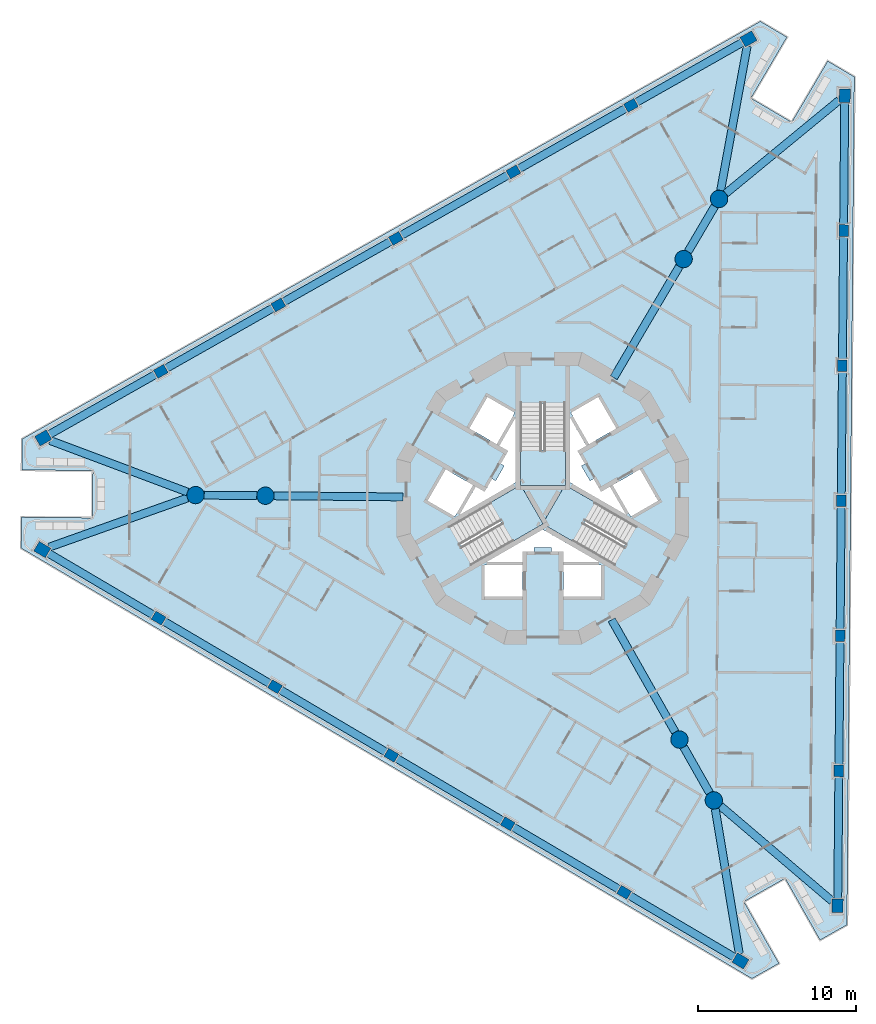
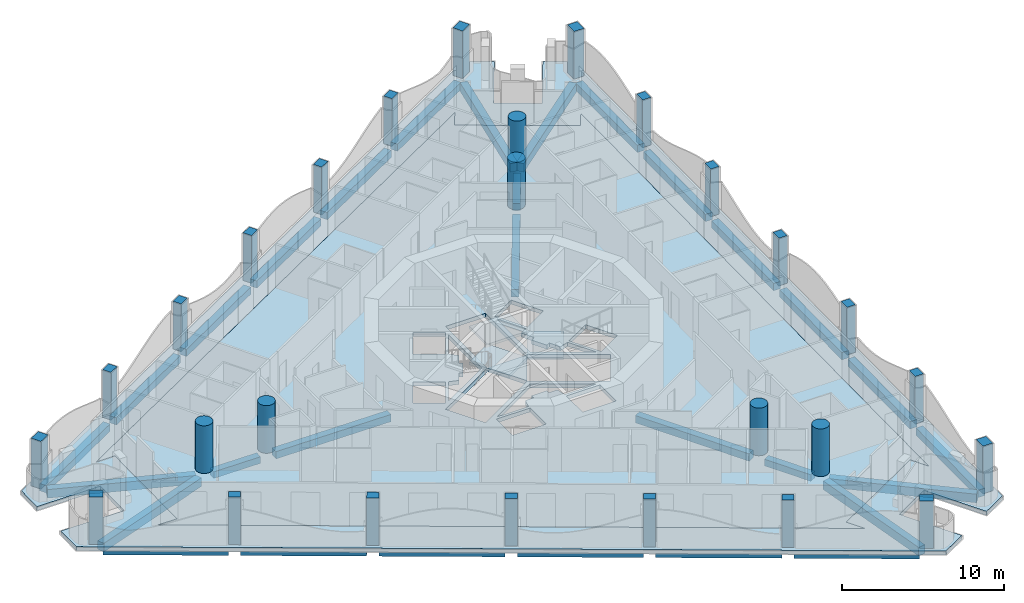
# One storey, part 1 of 17: 30 beams, 27 columns, 6 slabs, 3 elements without a shape of their own.
"""IFC4 building model written with IfcOpenShell, lengths in metres."""

from ifc_helpers import new_model, si_unit, direction, frame, origin, origin_2d, place, context, subcontext, project, spatial, polyline, rectangle, circle, outline, extrude, material, layer, layer_set, material_profile, profile_set, type_object, element, aggregate, save


model = new_model("IFC4")

# Units and contexts
model_context = context("Model", 3, precision=1e-05, world=origin(), true_north=direction((0.0, 1.0)))
body_context = subcontext(model_context, "Body", "Model", "MODEL_VIEW")
ifc_project = project(units=[si_unit("LENGTHUNIT", "METRE"), si_unit("AREAUNIT", "SQUARE_METRE"), si_unit("VOLUMEUNIT", "CUBIC_METRE"), si_unit("PLANEANGLEUNIT", "RADIAN"), si_unit("MASSUNIT", "GRAM", prefix="KILO")], contexts=[model_context])

# Site, building, storey
site_placement = place(None, origin())
site = spatial("IfcSite", under=ifc_project, at=site_placement, CompositionType="ELEMENT")
building_placement = place(site_placement, origin())
building = spatial("IfcBuilding", under=site, at=building_placement, Name="Trine Commons Tower", CompositionType="ELEMENT")
storey_placement = place(building_placement, frame((0.0, 0.0, 164.699951171875)))
storey = spatial("IfcBuildingStorey", under=building, at=storey_placement, Name="L42", CompositionType="ELEMENT", Elevation=164.699951171875)

# Columns
ifc_material_1 = material(Name="Concrete C60/75", Category="concrete")
ifc_material_profile_1 = material_profile(ifc_material_1, rectangle(XDim=0.75, YDim=0.60009765625, at=origin_2d()), Name="RC 750x600")
ifc_profile_set_1 = profile_set([ifc_material_profile_1], Name="Concrete C60/75")
column_type_1 = type_object("IfcColumnType", Name="RC column 750x600, C60/75", PredefinedType="COLUMN", material=ifc_profile_set_1)
for number, where, z_axis, x_axis, name in (
    (1, (85.15771484375, 37.483154296875, 0.0), (0.0, 0.0, 1.0), (-0.861629160442, 0.507538362961, 0.0), "Column PC5-02 L42"),
    (2, (77.773193359375, 41.8330078125, 0.0), (0.0, 0.0, 1.0), (-0.861629160442, 0.507538362961, 0.0), "Column PC5-03 L42"),
    (3, (70.388427734375, 46.182861328125, 0.0), (0.0, 0.0, 1.0), (-0.861629160442, 0.507538362961, 0.0), "Column PC5-04 L42"),
    (4, (63.00390625, 50.53271484375, 0.0), (0.0, 0.0, 1.0), (-0.861629160442, 0.507538362961, 0.0), "Column PC5-05 L42"),
    (5, (55.619140625, 54.8828125, 0.0), (0.0, 0.0, 1.0), (-0.861629160442, 0.507538362961, 0.0), "Column PC5-06 L42"),
    (6, (55.755859375, 70.541748046875, 0.0), (0.0, 0.0, 1.0), (0.87035569594, 0.492423560103, 0.0), "Column PC5-09 L42"),
    (7, (63.215087890625, 74.761962890625, 0.0), (0.0, 0.0, 1.0), (0.87035569594, 0.492423560103, 0.0), "Column PC5-10 L42"),
    (8, (70.6748046875, 78.982421875, 0.0), (0.0, 0.0, 1.0), (0.87035569594, 0.492423560103, 0.0), "Column PC5-11 L42"),
    (9, (78.13427734375, 83.202880859375, 0.0), (0.0, 0.0, 1.0), (0.87035569594, 0.492423560103, 0.0), "Column PC5-12 L42"),
    (10, (85.59375, 87.423095703125, 0.0), (0.0, 0.0, 1.0), (0.87035569594, 0.492423560103, 0.0), "Column PC5-13 L42"),
    (11, (99.08642578125, 79.475341796875, 0.0), (0.0, 0.0, 1.0), (0.008726535498, 0.999961923064, 0.0), "Column PC5-16 L42"),
    (12, (99.01171875, 70.905029296875, 0.0), (0.0, 0.0, 1.0), (0.008726535498, 0.999961923064, 0.0), "Column PC5-17 L42"),
    (13, (98.936767578125, 62.334716796875, 0.0), (0.0, 0.0, 1.0), (0.008726535498, 0.999961923064, 0.0), "Column PC5-18 L42"),
    (14, (98.862060546875, 53.764404296875, 0.0), (0.0, 0.0, 1.0), (0.008726535498, 0.999961923064, 0.0), "Column PC5-19 L42"),
    (15, (98.787109375, 45.194091796875, 0.0), (0.0, 0.0, 1.0), (0.008726535498, 0.999961923064, 0.0), "Column PC5-20 L42"),
):
    element("IfcColumn", number, at=place(storey_placement, frame(where, z_axis=z_axis, x_axis=x_axis)), inside=storey, type_object=column_type_1, Name=name, PredefinedType="COLUMN", context=body_context, shape_type="SweptSolid", body=[
        extrude(rectangle(XDim=0.75, YDim=0.60009765625, at=origin_2d()), origin(), (0.0, 0.0, 1.0), 3.60009765625),
    ])
ifc_material_profile_2 = material_profile(ifc_material_1, rectangle(XDim=0.85009765625, YDim=0.699951171875, at=origin_2d()), Name="RC 850x700")
ifc_profile_set_2 = profile_set([ifc_material_profile_2], Name="Concrete C60/75")
column_type_2 = type_object("IfcColumnType", Name="RC column 850x700, C60/75", PredefinedType="COLUMN", material=ifc_profile_set_2)
for number, where, z_axis, x_axis, name in (
    (16, (92.54248046875, 33.133056640625, 0.0), (0.0, 0.0, 1.0), (-0.861629160442, 0.507538362961, 0.0), "Column PC5-01 L42"),
    (17, (48.234375, 59.232666015625, 0.0), (0.0, 0.0, 1.0), (-0.861629160442, 0.507538362961, 0.0), "Column PC5-07 L42"),
    (18, (48.29638671875, 66.3212890625, 0.0), (0.0, 0.0, 1.0), (0.87035569594, 0.492423560103, 0.0), "Column PC5-08 L42"),
    (19, (93.052978515625, 91.6435546875, 0.0), (0.0, 0.0, 1.0), (0.87035569594, 0.492423560103, 0.0), "Column PC5-14 L42"),
    (20, (99.1611328125, 88.045654296875, 0.0), (0.0, 0.0, 1.0), (0.008726535498, 0.999961923064, 0.0), "Column PC5-15 L42"),
    (21, (98.71240234375, 36.623779296875, 0.0), (0.0, 0.0, 1.0), (0.008726535498, 0.999961923064, 0.0), "Column PC5-21 L42"),
):
    element("IfcColumn", number, at=place(storey_placement, frame(where, z_axis=z_axis, x_axis=x_axis)), inside=storey, type_object=column_type_2, Name=name, PredefinedType="COLUMN", context=body_context, shape_type="SweptSolid", body=[
        extrude(rectangle(XDim=0.85009765625, YDim=0.699951171875, at=origin_2d()), origin(), (0.0, 0.0, 1.0), 3.60009765625),
    ])
ifc_material_profile_3 = material_profile(ifc_material_1, circle(Radius=0.550048828125, at=origin_2d()), Name="RC round 1100")
ifc_profile_set_3 = profile_set([ifc_material_profile_3], Name="Concrete C60/75")
column_type_3 = type_object("IfcColumnType", Name="RC round column 1100 mm, C60/75", PredefinedType="COLUMN", material=ifc_profile_set_3)
for number, where, z_axis, x_axis, name in (
    (22, (88.66943359375, 47.177001953125, 0.0), (0.0, 0.0, 1.0), (1.0, 0.0, 0.0), "Column WC5-1 L42"),
    (23, (90.85205078125, 43.319091796875, 0.0), (0.0, 0.0, 1.0), (1.0, 0.0, 0.0), "Column WC5-2 L42"),
    (24, (88.935546875, 77.66943359375, 0.0), (0.0, 0.0, 1.0), (1.0, 0.0, 0.0), "Column WC5-3 L42"),
    (25, (91.185302734375, 81.488525390625, 0.0), (0.0, 0.0, 1.0), (1.0, 0.0, 0.0), "Column WC5-4 L42"),
    (26, (62.39501953125, 62.653564453125, 0.0), (0.0, 0.0, 1.0), (1.0, 0.0, 0.0), "Column WC5-5 L42"),
    (27, (57.962890625, 62.6923828125, 0.0), (0.0, 0.0, 1.0), (1.0, 0.0, 0.0), "Column WC5-6 L42"),
):
    element("IfcColumn", number, at=place(storey_placement, frame(where, z_axis=z_axis, x_axis=x_axis)), inside=storey, type_object=column_type_3, Name=name, PredefinedType="COLUMN", context=body_context, shape_type="SweptSolid", body=[
        extrude(circle(Radius=0.550048828125, at=origin_2d()), origin(), (0.0, 0.0, 1.0), 3.60009765625),
    ])

# Beams
ifc_material_2 = material(Name="Concrete C40/50", Category="concrete")
ifc_material_profile_4 = material_profile(ifc_material_2, rectangle(XDim=0.5, YDim=0.5, at=origin_2d()), Name="RC 500x500")
ifc_profile_set_4 = profile_set([ifc_material_profile_4], Name="Concrete C40/50")
beam_type_1 = type_object("IfcBeamType", Name="RC beam 500x500, C40/50", PredefinedType="BEAM", material=ifc_profile_set_4)
beam_1_placement = place(storey_placement, frame((88.93994140625, 46.698486328125, -0.550048828125), z_axis=(0.492474717644, -0.870326750411, 0.0), x_axis=(0.870326750411, 0.492474717644, 0.0)))
element("IfcBeam", 28, at=beam_1_placement, inside=storey, type_object=beam_type_1, Name="Beam RB5-02 L42", PredefinedType="BEAM", context=body_context, shape_type="SweptSolid", body=[
    extrude(rectangle(XDim=0.5, YDim=0.5, at=origin_2d()), origin(), (0.0, 0.0, 1.0), 3.333251953125),
])
beam_2_placement = place(storey_placement, frame((89.21435546875, 78.142578125, -0.550048828125), z_axis=(0.507522450497, 0.861638533401, 0.0), x_axis=(-0.861638533401, 0.507522450497, 0.0)))
element("IfcBeam", 29, at=beam_2_placement, inside=storey, type_object=beam_type_1, Name="Beam RB5-04 L42", PredefinedType="BEAM", context=body_context, shape_type="SweptSolid", body=[
    extrude(rectangle(XDim=0.5, YDim=0.5, at=origin_2d()), origin(), (0.0, 0.0, 1.0), 3.334228515625),
])
beam_3_placement = place(storey_placement, frame((61.84521484375, 62.658447265625, -0.550048828125), z_axis=(-0.999962000851, 0.008717617443, 0.0), x_axis=(-0.008717617443, -0.999962000851, 0.0)))
element("IfcBeam", 30, at=beam_3_placement, inside=storey, type_object=beam_type_1, Name="Beam RB5-06 L42", PredefinedType="BEAM", context=body_context, shape_type="SweptSolid", body=[
    extrude(rectangle(XDim=0.5, YDim=0.5, at=origin_2d()), origin(), (0.0, 0.0, 1.0), 3.332763671875),
])
ifc_material_profile_5 = material_profile(ifc_material_2, rectangle(XDim=0.5, YDim=0.550048828125, at=origin_2d()), Name="RC 500x550")
ifc_profile_set_5 = profile_set([ifc_material_profile_5], Name="Concrete C40/50")
beam_type_2 = type_object("IfcBeamType", Name="RC beam 500x550, C40/50", PredefinedType="BEAM", material=ifc_profile_set_5)
beam_4_placement = place(storey_placement, frame((92.17626953125, 33.348876953125, -0.574951171875), z_axis=(-0.861628755535, 0.507539050354, 0.0), x_axis=(-0.507539050354, -0.861628755535, 0.0)))
element("IfcBeam", 31, at=beam_4_placement, inside=storey, type_object=beam_type_2, Name="Beam EB5-01 L42", PredefinedType="BEAM", context=body_context, shape_type="SweptSolid", body=[
    extrude(rectangle(XDim=0.5, YDim=0.550048828125, at=origin_2d()), origin(), (0.0, 0.0, 1.0), 7.7705078125),
])
beam_5_placement = place(storey_placement, frame((84.834716796875, 37.67333984375, -0.574951171875), z_axis=(-0.861632320767, 0.507532997755, 0.0), x_axis=(-0.507532997755, -0.861632320767, 0.0)))
element("IfcBeam", 32, at=beam_5_placement, inside=storey, type_object=beam_type_2, Name="Beam EB5-02 L42", PredefinedType="BEAM", context=body_context, shape_type="SweptSolid", body=[
    extrude(rectangle(XDim=0.5, YDim=0.550048828125, at=origin_2d()), origin(), (0.0, 0.0, 1.0), 7.820556640625),
])
beam_6_placement = place(storey_placement, frame((77.4501953125, 42.023193359375, -0.574951171875), z_axis=(-0.861618669075, 0.507556173345, 0.0), x_axis=(-0.507556173345, -0.861618669075, 0.0)))
element("IfcBeam", 33, at=beam_6_placement, inside=storey, type_object=beam_type_2, Name="Beam EB5-03 L42", PredefinedType="BEAM", context=body_context, shape_type="SweptSolid", body=[
    extrude(rectangle(XDim=0.5, YDim=0.550048828125, at=origin_2d()), origin(), (0.0, 0.0, 1.0), 7.82080078125),
])
for number, where, z_axis, x_axis, name in (
    (34, (70.0654296875, 46.373291015625, -0.574951171875), (-0.861632320767, 0.507532997755, 0.0), (-0.507532997755, -0.861632320767, 0.0), "Beam EB5-04 L42"),
    (35, (62.6806640625, 50.72314453125, -0.574951171875), (-0.861632320767, 0.507532997755, 0.0), (-0.507532997755, -0.861632320767, 0.0), "Beam EB5-05 L42"),
):
    element("IfcBeam", number, at=place(storey_placement, frame(where, z_axis=z_axis, x_axis=x_axis)), inside=storey, type_object=beam_type_2, Name=name, PredefinedType="BEAM", context=body_context, shape_type="SweptSolid", body=[
        extrude(rectangle(XDim=0.5, YDim=0.550048828125, at=origin_2d()), origin(), (0.0, 0.0, 1.0), 7.820556640625),
    ])
for number, where, z_axis, x_axis, name in (
    (36, (55.2958984375, 55.072998046875, -0.574951171875), (-0.861628755535, 0.507539050354, 0.0), (-0.507539050354, -0.861628755535, 0.0), "Beam EB5-06 L42"),
    (37, (48.666259765625, 66.530517578125, -0.574951171875), (0.870356200913, 0.492422667566, 0.0), (-0.492422667566, 0.870356200913, 0.0), "Beam EB5-07 L42"),
):
    element("IfcBeam", number, at=place(storey_placement, frame(where, z_axis=z_axis, x_axis=x_axis)), inside=storey, type_object=beam_type_2, Name=name, PredefinedType="BEAM", context=body_context, shape_type="SweptSolid", body=[
        extrude(rectangle(XDim=0.5, YDim=0.550048828125, at=origin_2d()), origin(), (0.0, 0.0, 1.0), 7.7705078125),
    ])
for number, where, z_axis, x_axis, name in (
    (38, (56.082275390625, 70.726318359375, -0.574951171875), (0.87035228491, 0.49242958903, 0.0), (-0.49242958903, 0.87035228491, 0.0), "Beam EB5-08 L42"),
    (39, (63.54150390625, 74.94677734375, -0.574951171875), (0.870373233333, 0.492392561578, 0.0), (-0.492392561578, 0.870373233333, 0.0), "Beam EB5-09 L42"),
    (40, (71.001220703125, 79.1669921875, -0.574951171875), (0.87035228491, 0.49242958903, 0.0), (-0.49242958903, 0.87035228491, 0.0), "Beam EB5-10 L42"),
    (41, (78.460693359375, 83.387451171875, -0.574951171875), (0.870365664344, 0.492405940592, 0.0), (-0.492405940592, 0.870365664344, 0.0), "Beam EB5-11 L42"),
):
    element("IfcBeam", number, at=place(storey_placement, frame(where, z_axis=z_axis, x_axis=x_axis)), inside=storey, type_object=beam_type_2, Name=name, PredefinedType="BEAM", context=body_context, shape_type="SweptSolid", body=[
        extrude(rectangle(XDim=0.5, YDim=0.550048828125, at=origin_2d()), origin(), (0.0, 0.0, 1.0), 7.820556640625),
    ])
beam_7_placement = place(storey_placement, frame((85.920166015625, 87.60791015625, -0.574951171875), z_axis=(0.870362048186, 0.492412332377, 0.0), x_axis=(-0.492412332377, 0.870362048186, 0.0)))
element("IfcBeam", 42, at=beam_7_placement, inside=storey, type_object=beam_type_2, Name="Beam EB5-12 L42", PredefinedType="BEAM", context=body_context, shape_type="SweptSolid", body=[
    extrude(rectangle(XDim=0.5, YDim=0.550048828125, at=origin_2d()), origin(), (0.0, 0.0, 1.0), 7.770263671875),
])
beam_8_placement = place(storey_placement, frame((99.157470703125, 87.62060546875, -0.574951171875), z_axis=(-0.008734388901, -0.999961854498, 0.0), x_axis=(0.999961854498, -0.008734388901, 0.0)))
element("IfcBeam", 43, at=beam_8_placement, inside=storey, type_object=beam_type_2, Name="Beam EB5-13 L42", PredefinedType="BEAM", context=body_context, shape_type="SweptSolid", body=[
    extrude(rectangle(XDim=0.5, YDim=0.550048828125, at=origin_2d()), origin(), (0.0, 0.0, 1.0), 7.7705078125),
])
for number, where, z_axis, x_axis, name in (
    (44, (99.0830078125, 79.100341796875, -0.574951171875), (-0.008709709586, -0.99996206976, 0.0), (0.99996206976, -0.008709709586, 0.0), "Beam EB5-14 L42"),
    (45, (99.00830078125, 70.530029296875, -0.574951171875), (-0.008709709586, -0.99996206976, 0.0), (0.99996206976, -0.008709709586, 0.0), "Beam EB5-15 L42"),
    (46, (98.93359375, 61.959716796875, -0.574951171875), (-0.008740924802, -0.999961797387, 0.0), (0.999961797387, -0.008740924802, 0.0), "Beam EB5-16 L42"),
    (47, (98.858642578125, 53.389404296875, -0.574951171875), (-0.008709709586, -0.99996206976, 0.0), (0.99996206976, -0.008709709586, 0.0), "Beam EB5-17 L42"),
):
    element("IfcBeam", number, at=place(storey_placement, frame(where, z_axis=z_axis, x_axis=x_axis)), inside=storey, type_object=beam_type_2, Name=name, PredefinedType="BEAM", context=body_context, shape_type="SweptSolid", body=[
        extrude(rectangle(XDim=0.5, YDim=0.550048828125, at=origin_2d()), origin(), (0.0, 0.0, 1.0), 7.820556640625),
    ])
beam_9_placement = place(storey_placement, frame((98.783935546875, 44.819091796875, -0.574951171875), z_axis=(-0.008734388901, -0.999961854498, 0.0), x_axis=(0.999961854498, -0.008734388901, 0.0)))
element("IfcBeam", 48, at=beam_9_placement, inside=storey, type_object=beam_type_2, Name="Beam EB5-18 L42", PredefinedType="BEAM", context=body_context, shape_type="SweptSolid", body=[
    extrude(rectangle(XDim=0.5, YDim=0.550048828125, at=origin_2d()), origin(), (0.0, 0.0, 1.0), 7.7705078125),
])
beam_10_placement = place(storey_placement, frame((84.369384765625, 54.777099609375, -0.574951171875), z_axis=(0.492419995537, -0.870357712665, 0.0), x_axis=(0.870357712665, 0.492419995537, 0.0)))
element("IfcBeam", 49, at=beam_10_placement, inside=storey, type_object=beam_type_2, Name="Beam RB5-01 L42", PredefinedType="BEAM", context=body_context, shape_type="SweptSolid", body=[
    extrude(rectangle(XDim=0.5, YDim=0.550048828125, at=origin_2d()), origin(), (0.0, 0.0, 1.0), 8.1826171875),
])
beam_11_placement = place(storey_placement, frame((84.50341796875, 70.1455078125, -0.574951171875), z_axis=(0.507559825452, 0.861616517708, 0.0), x_axis=(-0.861616517708, 0.507559825452, 0.0)))
element("IfcBeam", 50, at=beam_11_placement, inside=storey, type_object=beam_type_2, Name="Beam RB5-03 L42", PredefinedType="BEAM", context=body_context, shape_type="SweptSolid", body=[
    extrude(rectangle(XDim=0.5, YDim=0.550048828125, at=origin_2d()), origin(), (0.0, 0.0, 1.0), 8.182861328125),
])
beam_12_placement = place(storey_placement, frame((71.127197265625, 62.577392578125, -0.574951171875), z_axis=(-0.999962048186, 0.008712186128, 0.0), x_axis=(-0.008712186128, -0.999962048186, 0.0)))
element("IfcBeam", 51, at=beam_12_placement, inside=storey, type_object=beam_type_2, Name="Beam RB5-05 L42", PredefinedType="BEAM", context=body_context, shape_type="SweptSolid", body=[
    extrude(rectangle(XDim=0.5, YDim=0.550048828125, at=origin_2d()), origin(), (0.0, 0.0, 1.0), 8.1826171875),
])
ifc_material_profile_6 = material_profile(ifc_material_2, rectangle(XDim=0.5, YDim=0.64990234375, at=origin_2d()), Name="RC 500x650")
ifc_profile_set_6 = profile_set([ifc_material_profile_6], Name="Concrete C40/50")
beam_type_3 = type_object("IfcBeamType", Name="RC beam 500x650, C40/50", PredefinedType="BEAM", material=ifc_profile_set_6)
beam_13_placement = place(storey_placement, frame((48.664306640625, 59.385498046875, -0.625), z_axis=(0.94219208675, 0.335073233287, 0.0), x_axis=(-0.335073233287, 0.94219208675, 0.0)))
element("IfcBeam", 52, at=beam_13_placement, inside=storey, type_object=beam_type_3, Name="Beam CB5-01 L42", PredefinedType="BEAM", context=body_context, shape_type="SweptSolid", body=[
    extrude(rectangle(XDim=0.5, YDim=0.64990234375, at=origin_2d()), origin(), (0.0, 0.0, 1.0), 9.31982421875),
])
beam_14_placement = place(storey_placement, frame((48.7236328125, 66.160888671875, -0.625), z_axis=(0.936203156272, -0.351459315123, 0.0), x_axis=(0.351459315123, 0.936203156272, 0.0)))
element("IfcBeam", 53, at=beam_14_placement, inside=storey, type_object=beam_type_3, Name="Beam CB5-02 L42", PredefinedType="BEAM", context=body_context, shape_type="SweptSolid", body=[
    extrude(rectangle(XDim=0.5, YDim=0.64990234375, at=origin_2d()), origin(), (0.0, 0.0, 1.0), 9.3193359375),
])
beam_15_placement = place(storey_placement, frame((92.970458984375, 91.194580078125, -0.625), z_axis=(-0.180897704794, -0.983501916826, 0.0), x_axis=(0.983501916826, -0.180897704794, 0.0)))
element("IfcBeam", 54, at=beam_15_placement, inside=storey, type_object=beam_type_3, Name="Beam CB5-03 L42", PredefinedType="BEAM", context=body_context, shape_type="SweptSolid", body=[
    extrude(rectangle(XDim=0.5, YDim=0.64990234375, at=origin_2d()), origin(), (0.0, 0.0, 1.0), 9.319091796875),
])
beam_16_placement = place(storey_placement, frame((98.80859375, 87.755859375, -0.625), z_axis=(-0.772466897343, -0.635055031087, 0.0), x_axis=(0.635055031087, -0.772466897343, 0.0)))
element("IfcBeam", 55, at=beam_16_placement, inside=storey, type_object=beam_type_3, Name="Beam CB5-04 L42", PredefinedType="BEAM", context=body_context, shape_type="SweptSolid", body=[
    extrude(rectangle(XDim=0.5, YDim=0.64990234375, at=origin_2d()), origin(), (0.0, 0.0, 1.0), 9.31884765625),
])
beam_17_placement = place(storey_placement, frame((98.364990234375, 36.919921875, -0.625), z_axis=(-0.761281547068, 0.648421472573, 0.0), x_axis=(-0.648421472573, -0.761281547068, 0.0)))
element("IfcBeam", 56, at=beam_17_placement, inside=storey, type_object=beam_type_3, Name="Beam CB5-05 L42", PredefinedType="BEAM", context=body_context, shape_type="SweptSolid", body=[
    extrude(rectangle(XDim=0.5, YDim=0.64990234375, at=origin_2d()), origin(), (0.0, 0.0, 1.0), 9.319091796875),
])
beam_18_placement = place(storey_placement, frame((92.4677734375, 33.583251953125, -0.625), z_axis=(-0.163727753956, 0.986505561355, 0.0), x_axis=(-0.986505561355, -0.163727753956, 0.0)))
element("IfcBeam", 57, at=beam_18_placement, inside=storey, type_object=beam_type_3, Name="Beam CB5-06 L42", PredefinedType="BEAM", context=body_context, shape_type="SweptSolid", body=[
    extrude(rectangle(XDim=0.5, YDim=0.64990234375, at=origin_2d()), origin(), (0.0, 0.0, 1.0), 9.319580078125),
])

# Slabs
ifc_layer_1 = layer(ifc_material_2, 0.300048828125)
ifc_layer_set_1 = layer_set([ifc_layer_1], Name="Concrete C40/50")
slab_type_1 = type_object("IfcSlabType", Name="Loggia slab 300 mm, C40/50", PredefinedType="FLOOR", material=ifc_layer_set_1)
slab_1_placement = place(storey_placement, frame((0.0, 0.0, -0.300048828125)))
element("IfcSlab", 58, at=slab_1_placement, inside=storey, type_object=slab_type_1, Name="Loggia slab L42", PredefinedType="FLOOR", context=body_context, shape_type="SweptSolid", body=[
    extrude(outline(polyline([(99.302001953125, 35.418701171875), (99.771484375, 89.240234375), (98.079345703125, 90.237060546875), (95.79541015625, 86.35986328125), (93.21044921875, 87.88232421875), (95.494384765625, 91.759765625), (93.802001953125, 92.756591796875), (46.956298828125, 66.252685546875), (46.939208984375, 64.28857421875), (51.439208984375, 64.249267578125), (51.412841796875, 61.24951171875), (46.9130859375, 61.288818359375), (46.89599609375, 59.32470703125), (93.27197265625, 32.007080078125), (94.9814453125, 32.974365234375), (92.765380859375, 36.890869140625), (95.376708984375, 38.3681640625), (97.592529296875, 34.45166015625), (99.302001953125, 35.418701171875)]), holes=[polyline([(90.156982421875, 36.627197265625), (89.494873046875, 37.7978515625), (96.28369140625, 41.638916015625), (96.94580078125, 40.46826171875), (97.327880859375, 84.232666015625), (96.645263671875, 83.07373046875), (89.924560546875, 87.03271484375), (90.607177734375, 88.19140625), (52.514892578125, 66.639892578125), (53.860107421875, 66.62841796875), (53.7919921875, 58.82861328125), (52.447021484375, 58.84033203125), (90.156982421875, 36.627197265625)])]), origin(), (0.0, 0.0, 1.0), 0.300048828125),
])
ifc_layer_2 = layer(ifc_material_2, 0.300048828125)
ifc_layer_set_2 = layer_set([ifc_layer_2], Name="Concrete C40/50")
slab_type_2 = type_object("IfcSlabType", Name="PT flat slab 300 mm, C40/50", PredefinedType="FLOOR", material=ifc_layer_set_2)
slab_2_placement = place(storey_placement, frame((0.0, 0.0, -0.300048828125)))
element("IfcSlab", 59, at=slab_2_placement, inside=storey, type_object=slab_type_2, Name="Floor slab L42", PredefinedType="FLOOR", context=body_context, shape_type="SweptSolid", body=[
    extrude(outline(polyline([(52.447021484375, 58.84033203125), (90.156982421875, 36.627197265625), (89.494873046875, 37.7978515625), (96.28369140625, 41.638916015625), (96.94580078125, 40.46826171875), (97.327880859375, 84.232666015625), (96.645263671875, 83.07373046875), (89.924560546875, 87.03271484375), (90.607177734375, 88.19140625), (52.514892578125, 66.639892578125), (53.860107421875, 66.62841796875), (53.7919921875, 58.82861328125), (52.447021484375, 58.84033203125)]), holes=[polyline([(78.699951171875, 56.25), (78.699951171875, 58.25), (76.300048828125, 58.25), (76.300048828125, 56.25), (78.699951171875, 56.25)]), polyline([(80.0, 60.8544921875), (84.4755859375, 58.2705078125), (85.900390625, 60.73876953125), (81.425048828125, 63.32275390625), (81.425048828125, 68.490478515625), (78.574951171875, 68.490478515625), (78.574951171875, 63.32275390625), (74.099609375, 60.73876953125), (75.5244140625, 58.2705078125), (80.0, 60.8544921875)]), polyline([(73.83740234375, 64.325927734375), (72.687255859375, 62.333984375), (74.41943359375, 61.333984375), (75.5693359375, 63.325927734375), (73.83740234375, 64.325927734375)]), polyline([(76.381103515625, 63.031005859375), (75.742919921875, 63.22607421875), (74.7099609375, 61.43798828125), (78.27490234375, 63.49609375), (78.27490234375, 67.612060546875), (77.242919921875, 65.823974609375), (77.73095703125, 65.368896484375), (77.3310546875, 64.676025390625), (77.555908203125, 64.5458984375), (77.006103515625, 63.593994140625), (76.781005859375, 63.722900390625), (76.381103515625, 63.031005859375)]), polyline([(76.4873046875, 68.916015625), (75.33740234375, 66.924072265625), (77.0693359375, 65.924072265625), (78.219482421875, 67.916015625), (76.4873046875, 68.916015625)]), polyline([(83.699951171875, 56.25), (83.699951171875, 58.25), (81.300048828125, 58.25), (81.300048828125, 56.25), (83.699951171875, 56.25)]), polyline([(81.14990234375, 59.10009765625), (81.300048828125, 58.449951171875), (83.56494140625, 58.449951171875), (80.0, 60.508056640625), (76.43505859375, 58.449951171875), (78.699951171875, 58.449951171875), (78.85009765625, 59.10009765625), (79.449951171875, 59.10009765625), (79.449951171875, 59.360107421875), (80.550048828125, 59.360107421875), (80.550048828125, 59.10009765625), (81.14990234375, 59.10009765625)]), polyline([(86.16259765625, 64.325927734375), (84.4306640625, 63.325927734375), (85.58056640625, 61.333984375), (87.312744140625, 62.333984375), (86.16259765625, 64.325927734375)]), polyline([(83.243896484375, 63.738037109375), (82.993896484375, 63.593994140625), (82.444091796875, 64.5458984375), (82.72705078125, 64.7099609375), (82.281005859375, 65.549072265625), (82.757080078125, 65.823974609375), (81.72509765625, 67.612060546875), (81.72509765625, 63.49609375), (85.2900390625, 61.43798828125), (84.257080078125, 63.22607421875), (83.618896484375, 63.031005859375), (83.243896484375, 63.738037109375)]), polyline([(84.66259765625, 66.924072265625), (83.5126953125, 68.916015625), (81.780517578125, 67.916015625), (82.9306640625, 65.924072265625), (84.66259765625, 66.924072265625)])]), origin(), (0.0, 0.0, 1.0), 0.300048828125),
])
slab_3_placement = place(storey_placement, frame((0.0, 0.0, -0.300048828125)))
element("IfcSlab", 60, at=slab_3_placement, inside=storey, type_object=slab_type_2, Name="Floor slab L42 2", PredefinedType="FLOOR", context=body_context, shape_type="SweptSolid", body=[
    extrude(outline(polyline([(78.61328125, 63.300537109375), (80.0, 60.89892578125), (81.38671875, 63.300537109375), (78.61328125, 63.300537109375)])), origin(), (0.0, 0.0, 1.0), 0.300048828125),
])

# Stair, slab
ifc_material_3 = material(Name="Concrete C50/60", Category="concrete")
stair_type = type_object("IfcStairType", Name="Exit stair, dog-leg, 24 risers of 150 mm", PredefinedType="HALF_TURN_STAIR", material=ifc_material_3)
stair_1_placement = place(storey_placement, origin())
stair_1 = element("IfcStair", 61, at=stair_1_placement, inside=storey, type_object=stair_type, Name="L42 Exit stair ST1B", PredefinedType="HALF_TURN_STAIR")
ifc_layer_3 = layer(ifc_material_3, 0.199951171875)
ifc_layer_set_3 = layer_set([ifc_layer_3], Name="Concrete C50/60")
slab_type_3 = type_object("IfcSlabType", Name="Stair landing slab 200 mm, C50/60", PredefinedType="LANDING", material=ifc_layer_set_3)
slab_4_placement = place(storey_placement, frame((0.0, 0.0, 1.60009765625)))
slab_4 = element("IfcSlab", 62, at=slab_4_placement, type_object=slab_type_3, Name="ST1B landing 1", PredefinedType="LANDING", context=body_context, shape_type="SweptSolid", body=[
    extrude(outline(polyline([(78.574951171875, 65.570556640625), (78.574951171875, 63.300537109375), (81.425048828125, 63.300537109375), (81.425048828125, 65.570556640625), (78.574951171875, 65.570556640625)])), origin(), (0.0, 0.0, 1.0), 0.199951171875),
])
aggregate(stair_1, [slab_4])

stair_2_placement = place(storey_placement, origin())
stair_2 = element("IfcStair", 63, at=stair_2_placement, inside=storey, type_object=stair_type, Name="L42 Exit stair ST2B", PredefinedType="HALF_TURN_STAIR")
slab_5_placement = place(storey_placement, frame((0.0, 0.0, 1.60009765625)))
slab_5 = element("IfcSlab", 64, at=slab_5_placement, type_object=slab_type_3, Name="ST2B landing 1", PredefinedType="LANDING", context=body_context, shape_type="SweptSolid", body=[
    extrude(outline(polyline([(78.05322265625, 59.730712890625), (80.019287109375, 60.86572265625), (78.59423828125, 63.333740234375), (76.628173828125, 62.19873046875), (78.05322265625, 59.730712890625)])), origin(), (0.0, 0.0, 1.0), 0.199951171875),
])
aggregate(stair_2, [slab_5])

stair_3_placement = place(storey_placement, origin())
stair_3 = element("IfcStair", 65, at=stair_3_placement, inside=storey, type_object=stair_type, Name="L42 Exit stair ST3B", PredefinedType="HALF_TURN_STAIR")
slab_6_placement = place(storey_placement, frame((0.0, 0.0, 1.60009765625)))
slab_6 = element("IfcSlab", 66, at=slab_6_placement, type_object=slab_type_3, Name="ST3B landing 1", PredefinedType="LANDING", context=body_context, shape_type="SweptSolid", body=[
    extrude(outline(polyline([(83.371826171875, 62.19873046875), (81.40576171875, 63.333740234375), (79.980712890625, 60.86572265625), (81.94677734375, 59.730712890625), (83.371826171875, 62.19873046875)])), origin(), (0.0, 0.0, 1.0), 0.199951171875),
])
aggregate(stair_3, [slab_6])

save(model, "model.ifc")
